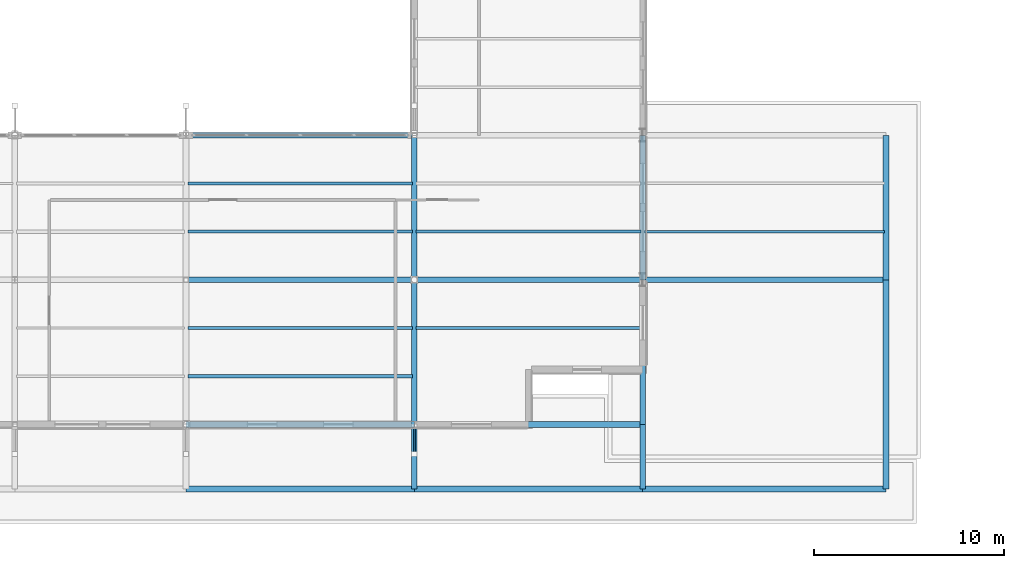
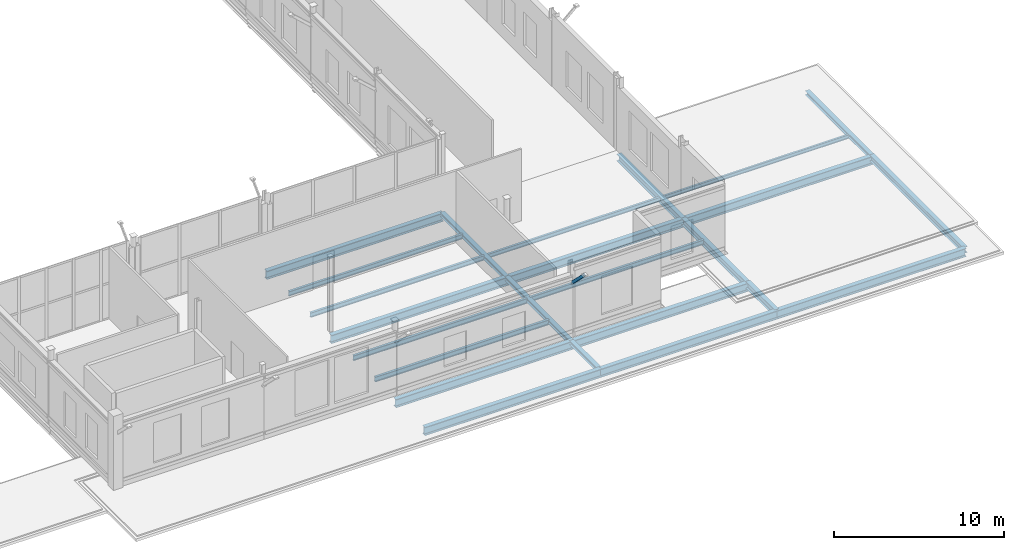
# One storey, part 79 of 147: 24 beams, 1 member.
"""IFC4 building model written with IfcOpenShell, lengths in metres."""

from ifc_helpers import new_model, si_unit, direction, frame, origin, origin_2d, place, context, subcontext, project, spatial, hollow_rectangle, i_section, extrude, material, material_profile, profile_set, type_object, element, save


model = new_model("IFC4")

# Units and contexts
model_context = context("Model", 3, precision=1e-05, world=origin(), true_north=direction((0.0, 1.0)))
body_context = subcontext(model_context, "Body", "Model", "MODEL_VIEW")
ifc_project = project(units=[si_unit("LENGTHUNIT", "METRE"), si_unit("AREAUNIT", "SQUARE_METRE"), si_unit("VOLUMEUNIT", "CUBIC_METRE"), si_unit("PLANEANGLEUNIT", "RADIAN"), si_unit("MASSUNIT", "GRAM", prefix="KILO")], contexts=[model_context])

# Site, building, storey
site_placement = place(None, origin())
site = spatial("IfcSite", under=ifc_project, at=site_placement, CompositionType="ELEMENT")
building_placement = place(site_placement, origin())
building = spatial("IfcBuilding", under=site, at=building_placement, Name="Vekula Escarpment Museum", CompositionType="ELEMENT")
storey_placement = place(building_placement, frame((0.0, 0.0, 7.800048828125)))
storey = spatial("IfcBuildingStorey", under=building, at=storey_placement, Name="L02", CompositionType="ELEMENT", Elevation=7.800048828125)

# Beams
ifc_material_1 = material(Name="Steel S355", Category="steel")
ifc_material_profile_1 = material_profile(ifc_material_1, i_section(OverallWidth=0.300048828125, OverallDepth=0.5, WebThickness=0.014404296875, FlangeThickness=0.028076171875, FilletRadius=0.027099609375, at=origin_2d()), Name="HEB 500")
ifc_profile_set_1 = profile_set([ifc_material_profile_1], Name="Steel S355")
beam_type_1 = type_object("IfcBeamType", Name="BM-GIRD-HEB500", PredefinedType="BEAM", material=ifc_profile_set_1)
beam_1_placement = place(storey_placement, frame((179.0, -3.39990234375, -0.449951171875), z_axis=(0.0, 1.0, 0.0), x_axis=(-1.0, 0.0, 0.0)))
element("IfcBeam", 1, at=beam_1_placement, inside=storey, type_object=beam_type_1, Name="Beam Y L02 1239", PredefinedType="BEAM", context=body_context, shape_type="SweptSolid", body=[
    extrude(i_section(OverallWidth=0.300048828125, OverallDepth=0.5, WebThickness=0.014404296875, FlangeThickness=0.028076171875, FilletRadius=0.027099609375, at=origin_2d()), origin(), (0.0, 0.0, 1.0), 3.39990234375),
])
beam_2_placement = place(storey_placement, frame((179.0, 0.0, -0.510009765625), z_axis=(0.0, 1.0, 0.0), x_axis=(-1.0, 0.0, 0.0)))
element("IfcBeam", 2, at=beam_2_placement, inside=storey, type_object=beam_type_1, Name="Beam Y L02 1240", PredefinedType="BEAM", context=body_context, shape_type="SweptSolid", body=[
    extrude(i_section(OverallWidth=0.300048828125, OverallDepth=0.5, WebThickness=0.014404296875, FlangeThickness=0.028076171875, FilletRadius=0.027099609375, at=origin_2d()), origin(), (0.0, 0.0, 1.0), 7.60009765625),
])
beam_3_placement = place(storey_placement, frame((179.0, 7.60009765625, -0.510009765625), z_axis=(0.0, 1.0, 0.0), x_axis=(-1.0, 0.0, 0.0)))
element("IfcBeam", 3, at=beam_3_placement, inside=storey, type_object=beam_type_1, Name="Beam Y L02 1241", PredefinedType="BEAM", context=body_context, shape_type="SweptSolid", body=[
    extrude(i_section(OverallWidth=0.300048828125, OverallDepth=0.5, WebThickness=0.014404296875, FlangeThickness=0.028076171875, FilletRadius=0.027099609375, at=origin_2d()), origin(), (0.0, 0.0, 1.0), 7.599853515625),
])
ifc_material_2 = material(Name="Steel S355", Category="steel")
ifc_material_profile_2 = material_profile(ifc_material_2, i_section(OverallWidth=0.300048828125, OverallDepth=0.60009765625, WebThickness=0.015380859375, FlangeThickness=0.030029296875, FilletRadius=0.027099609375, at=origin_2d()), Name="HEB 600")
ifc_profile_set_2 = profile_set([ifc_material_profile_2], Name="Steel S355")
beam_type_2 = type_object("IfcBeamType", Name="BM-GIRD-HEB600", PredefinedType="BEAM", material=ifc_profile_set_2)
for number, where, z_axis, x_axis, name in (
    (4, (155.0, -3.39990234375, -0.5), (1.0, 0.0, 0.0), (0.0, 1.0, 0.0), "Beam X L02 0782"),
    (5, (167.0, -3.39990234375, -0.5), (1.0, 0.0, 0.0), (0.0, 1.0, 0.0), "Beam X L02 0783"),
):
    element("IfcBeam", number, at=place(storey_placement, frame(where, z_axis=z_axis, x_axis=x_axis)), inside=storey, type_object=beam_type_2, Name=name, PredefinedType="BEAM", context=body_context, shape_type="SweptSolid", body=[
        extrude(i_section(OverallWidth=0.300048828125, OverallDepth=0.60009765625, WebThickness=0.015380859375, FlangeThickness=0.030029296875, FilletRadius=0.027099609375, at=origin_2d()), origin(), (0.0, 0.0, 1.0), 12.0),
    ])
beam_4_placement = place(storey_placement, frame((179.0, -3.39990234375, -0.5), z_axis=(1.0, 0.0, 0.0), x_axis=(0.0, 1.0, 0.0)))
element("IfcBeam", 6, at=beam_4_placement, inside=storey, type_object=beam_type_2, Name="Beam X L02 0784", PredefinedType="BEAM", context=body_context, shape_type="SweptSolid", body=[
    extrude(i_section(OverallWidth=0.300048828125, OverallDepth=0.60009765625, WebThickness=0.015380859375, FlangeThickness=0.030029296875, FilletRadius=0.027099609375, at=origin_2d()), origin(), (0.0, 0.0, 1.0), 12.800048828125),
])
for number, where, z_axis, x_axis, name in (
    (7, (155.0, 0.0, -0.56005859375), (1.0, 0.0, 0.0), (0.0, 1.0, 0.0), "Beam X L02 0797"),
    (8, (167.0, 0.0, -0.56005859375), (1.0, 0.0, 0.0), (0.0, 1.0, 0.0), "Beam X L02 0798"),
    (9, (155.0, 7.60009765625, -0.56005859375), (1.0, 0.0, 0.0), (0.0, 1.0, 0.0), "Beam X L02 0810"),
    (10, (167.0, 7.60009765625, -0.56005859375), (1.0, 0.0, 0.0), (0.0, 1.0, 0.0), "Beam X L02 0811"),
):
    element("IfcBeam", number, at=place(storey_placement, frame(where, z_axis=z_axis, x_axis=x_axis)), inside=storey, type_object=beam_type_2, Name=name, PredefinedType="BEAM", context=body_context, shape_type="SweptSolid", body=[
        extrude(i_section(OverallWidth=0.300048828125, OverallDepth=0.60009765625, WebThickness=0.015380859375, FlangeThickness=0.030029296875, FilletRadius=0.027099609375, at=origin_2d()), origin(), (0.0, 0.0, 1.0), 12.0),
    ])
beam_5_placement = place(storey_placement, frame((179.0, 7.60009765625, -0.56005859375), z_axis=(1.0, 0.0, 0.0), x_axis=(0.0, 1.0, 0.0)))
element("IfcBeam", 11, at=beam_5_placement, inside=storey, type_object=beam_type_2, Name="Beam X L02 0812", PredefinedType="BEAM", context=body_context, shape_type="SweptSolid", body=[
    extrude(i_section(OverallWidth=0.300048828125, OverallDepth=0.60009765625, WebThickness=0.015380859375, FlangeThickness=0.030029296875, FilletRadius=0.027099609375, at=origin_2d()), origin(), (0.0, 0.0, 1.0), 12.800048828125),
])
beam_6_placement = place(storey_placement, frame((155.0, 15.199951171875, -0.56005859375), z_axis=(1.0, 0.0, 0.0), x_axis=(0.0, 1.0, 0.0)))
element("IfcBeam", 12, at=beam_6_placement, inside=storey, type_object=beam_type_2, Name="Beam X L02 0824", PredefinedType="BEAM", context=body_context, shape_type="SweptSolid", body=[
    extrude(i_section(OverallWidth=0.300048828125, OverallDepth=0.60009765625, WebThickness=0.015380859375, FlangeThickness=0.030029296875, FilletRadius=0.027099609375, at=origin_2d()), origin(), (0.0, 0.0, 1.0), 12.0),
])
ifc_material_3 = material(Name="Steel S355", Category="steel")
ifc_material_profile_3 = material_profile(ifc_material_3, i_section(OverallWidth=0.135009765625, OverallDepth=0.27001953125, WebThickness=0.006591796875, FlangeThickness=0.01025390625, FilletRadius=0.014892578125, at=origin_2d()), Name="IPE 270")
ifc_profile_set_3 = profile_set([ifc_material_profile_3], Name="Steel S355")
beam_type_3 = type_object("IfcBeamType", Name="BM-JST-IPE270", PredefinedType="JOIST", material=ifc_profile_set_3)
beam_7_placement = place(storey_placement, frame((179.090087890625, 10.13330078125, -0.39501953125), z_axis=(1.0, 0.0, 0.0), x_axis=(0.0, 1.0, 0.0)))
element("IfcBeam", 13, at=beam_7_placement, inside=storey, type_object=beam_type_3, Name="Secondary Joist L02 0868", PredefinedType="JOIST", context=body_context, shape_type="SweptSolid", body=[
    extrude(i_section(OverallWidth=0.135009765625, OverallDepth=0.27001953125, WebThickness=0.006591796875, FlangeThickness=0.01025390625, FilletRadius=0.014892578125, at=origin_2d()), origin(), (0.0, 0.0, 1.0), 12.619873046875),
])
ifc_material_4 = material(Name="Steel S355", Category="steel")
ifc_material_profile_4 = material_profile(ifc_material_4, i_section(OverallWidth=0.14990234375, OverallDepth=0.300048828125, WebThickness=0.007080078125, FlangeThickness=0.0107421875, FilletRadius=0.014892578125, at=origin_2d()), Name="IPE 300")
ifc_profile_set_4 = profile_set([ifc_material_profile_4], Name="Steel S355")
beam_type_4 = type_object("IfcBeamType", Name="BM-JST-IPE300", PredefinedType="JOIST", material=ifc_profile_set_4)
beam_8_placement = place(storey_placement, frame((167.090087890625, 10.13330078125, -0.41015625), z_axis=(1.0, 0.0, 0.0), x_axis=(0.0, 1.0, 0.0)))
element("IfcBeam", 14, at=beam_8_placement, inside=storey, type_object=beam_type_4, Name="Secondary Joist L02 0842", PredefinedType="JOIST", context=body_context, shape_type="SweptSolid", body=[
    extrude(i_section(OverallWidth=0.14990234375, OverallDepth=0.300048828125, WebThickness=0.007080078125, FlangeThickness=0.0107421875, FilletRadius=0.014892578125, at=origin_2d()), origin(), (0.0, 0.0, 1.0), 11.81982421875),
])
ifc_material_5 = material(Name="Steel S355", Category="steel")
ifc_material_profile_5 = material_profile(ifc_material_5, i_section(OverallWidth=0.159912109375, OverallDepth=0.330078125, WebThickness=0.007568359375, FlangeThickness=0.011474609375, FilletRadius=0.01806640625, at=origin_2d()), Name="IPE 330")
ifc_profile_set_5 = profile_set([ifc_material_profile_5], Name="Steel S355")
beam_type_5 = type_object("IfcBeamType", Name="BM-JST-IPE330", PredefinedType="JOIST", material=ifc_profile_set_5)
for number, where, z_axis, x_axis, name in (
    (15, (155.090087890625, 10.13330078125, -0.425048828125), (1.0, 0.0, 0.0), (0.0, 1.0, 0.0), "Secondary Joist L02 0837"),
    (16, (155.090087890625, 12.666748046875, -0.425048828125), (1.0, 0.0, 0.0), (0.0, 1.0, 0.0), "Secondary Joist L02 0838"),
    (17, (167.090087890625, 5.066650390625, -0.425048828125), (1.0, 0.0, 0.0), (0.0, 1.0, 0.0), "Secondary Joist L02 0841"),
):
    element("IfcBeam", number, at=place(storey_placement, frame(where, z_axis=z_axis, x_axis=x_axis)), inside=storey, type_object=beam_type_5, Name=name, PredefinedType="JOIST", context=body_context, shape_type="SweptSolid", body=[
        extrude(i_section(OverallWidth=0.159912109375, OverallDepth=0.330078125, WebThickness=0.007568359375, FlangeThickness=0.011474609375, FilletRadius=0.01806640625, at=origin_2d()), origin(), (0.0, 0.0, 1.0), 11.81982421875),
    ])
ifc_material_6 = material(Name="Steel S355", Category="steel")
ifc_material_profile_6 = material_profile(ifc_material_6, i_section(OverallWidth=0.169921875, OverallDepth=0.360107421875, WebThickness=0.008056640625, FlangeThickness=0.0126953125, FilletRadius=0.01806640625, at=origin_2d()), Name="IPE 360")
ifc_profile_set_6 = profile_set([ifc_material_profile_6], Name="Steel S355")
beam_type_6 = type_object("IfcBeamType", Name="BM-JST-IPE360", PredefinedType="JOIST", material=ifc_profile_set_6)
for number, where, z_axis, x_axis, name in (
    (18, (155.090087890625, 2.533203125, -0.43994140625), (1.0, 0.0, 0.0), (0.0, 1.0, 0.0), "Secondary Joist L02 0835"),
    (19, (155.090087890625, 5.066650390625, -0.43994140625), (1.0, 0.0, 0.0), (0.0, 1.0, 0.0), "Secondary Joist L02 0836"),
):
    element("IfcBeam", number, at=place(storey_placement, frame(where, z_axis=z_axis, x_axis=x_axis)), inside=storey, type_object=beam_type_6, Name=name, PredefinedType="JOIST", context=body_context, shape_type="SweptSolid", body=[
        extrude(i_section(OverallWidth=0.169921875, OverallDepth=0.360107421875, WebThickness=0.008056640625, FlangeThickness=0.0126953125, FilletRadius=0.01806640625, at=origin_2d()), origin(), (0.0, 0.0, 1.0), 11.81982421875),
    ])
ifc_material_7 = material(Name="Steel S355", Category="steel")
ifc_material_profile_7 = material_profile(ifc_material_7, i_section(OverallWidth=0.300048828125, OverallDepth=0.2900390625, WebThickness=0.008544921875, FlangeThickness=0.013916015625, FilletRadius=0.027099609375, at=origin_2d()), Name="HEA 300")
ifc_profile_set_7 = profile_set([ifc_material_profile_7], Name="Steel S355")
beam_type_7 = type_object("IfcBeamType", Name="BM-SPAN-HEA300", PredefinedType="SPANDREL", material=ifc_profile_set_7)
beam_9_placement = place(storey_placement, frame((167.0, -3.39990234375, -0.405029296875), z_axis=(0.0, 1.0, 0.0), x_axis=(-1.0, 0.0, 0.0)))
element("IfcBeam", 20, at=beam_9_placement, inside=storey, type_object=beam_type_7, Name="Beam Y L02 1220", PredefinedType="SPANDREL", context=body_context, shape_type="SweptSolid", body=[
    extrude(i_section(OverallWidth=0.300048828125, OverallDepth=0.2900390625, WebThickness=0.008544921875, FlangeThickness=0.013916015625, FilletRadius=0.027099609375, at=origin_2d()), origin(), (0.0, 0.0, 1.0), 3.39990234375),
])
beam_10_placement = place(storey_placement, frame((167.0, 0.0, -0.405029296875), z_axis=(0.0, 1.0, 0.0), x_axis=(-1.0, 0.0, 0.0)))
element("IfcBeam", 21, at=beam_10_placement, inside=storey, type_object=beam_type_7, Name="Beam Y L02 1221", PredefinedType="SPANDREL", context=body_context, shape_type="SweptSolid", body=[
    extrude(i_section(OverallWidth=0.300048828125, OverallDepth=0.2900390625, WebThickness=0.008544921875, FlangeThickness=0.013916015625, FilletRadius=0.027099609375, at=origin_2d()), origin(), (0.0, 0.0, 1.0), 7.60009765625),
])
for number, where, z_axis, x_axis, name in (
    (22, (167.0, 7.60009765625, -0.405029296875), (0.0, 1.0, 0.0), (-1.0, 0.0, 0.0), "Beam Y L02 1222"),
    (23, (191.800048828125, 7.60009765625, -0.344970703125), (0.0, 1.0, 0.0), (-1.0, 0.0, 0.0), "Beam Y L02 1259"),
):
    element("IfcBeam", number, at=place(storey_placement, frame(where, z_axis=z_axis, x_axis=x_axis)), inside=storey, type_object=beam_type_7, Name=name, PredefinedType="SPANDREL", context=body_context, shape_type="SweptSolid", body=[
        extrude(i_section(OverallWidth=0.300048828125, OverallDepth=0.2900390625, WebThickness=0.008544921875, FlangeThickness=0.013916015625, FilletRadius=0.027099609375, at=origin_2d()), origin(), (0.0, 0.0, 1.0), 7.599853515625),
    ])
ifc_material_8 = material(Name="Steel S355", Category="steel")
ifc_material_profile_8 = material_profile(ifc_material_8, i_section(OverallWidth=0.300048828125, OverallDepth=0.43994140625, WebThickness=0.011474609375, FlangeThickness=0.02099609375, FilletRadius=0.027099609375, at=origin_2d()), Name="HEA 450")
ifc_profile_set_8 = profile_set([ifc_material_profile_8], Name="Steel S355")
beam_type_8 = type_object("IfcBeamType", Name="BM-SPAN-HEA450", PredefinedType="SPANDREL", material=ifc_profile_set_8)
beam_11_placement = place(storey_placement, frame((191.800048828125, -3.39990234375, -0.420166015625), z_axis=(0.0, 1.0, 0.0), x_axis=(-1.0, 0.0, 0.0)))
element("IfcBeam", 24, at=beam_11_placement, inside=storey, type_object=beam_type_8, Name="Beam Y L02 1258", PredefinedType="SPANDREL", context=body_context, shape_type="SweptSolid", body=[
    extrude(i_section(OverallWidth=0.300048828125, OverallDepth=0.43994140625, WebThickness=0.011474609375, FlangeThickness=0.02099609375, FilletRadius=0.027099609375, at=origin_2d()), origin(), (0.0, 0.0, 1.0), 11.0),
])

# Member
ifc_material_9 = material(Name="Steel S355", Category="steel")
ifc_material_profile_9 = material_profile(ifc_material_9, hollow_rectangle(XDim=0.10009765625, YDim=0.199951171875, WallThickness=0.008056640625, InnerFilletRadius=0.008056640625, OuterFilletRadius=0.01611328125, at=origin_2d()), Name="RHS 200x100x8")
ifc_profile_set_9 = profile_set([ifc_material_profile_9], Name="Steel S355")
member_type = type_object("IfcMemberType", Name="MB-SACAK-BRK", PredefinedType="STRUT", material=ifc_profile_set_9)
member_placement = place(storey_placement, frame((167.0, -0.1201171875, 3.949951171875), z_axis=(0.0, -0.714570141171, 0.699563802198), x_axis=(1.0, 0.0, 0.0)))
element("IfcMember", 25, at=member_placement, inside=storey, type_object=member_type, Name="Ottoman Sacak Eave Bracket Z9-0147", PredefinedType="STRUT", context=body_context, shape_type="SweptSolid", body=[
    extrude(hollow_rectangle(XDim=0.10009765625, YDim=0.199951171875, WallThickness=0.008056640625, InnerFilletRadius=0.008056640625, OuterFilletRadius=0.01611328125, at=origin_2d()), origin(), (0.0, 0.0, 1.0), 2.001220703125),
])

save(model, "model.ifc")
